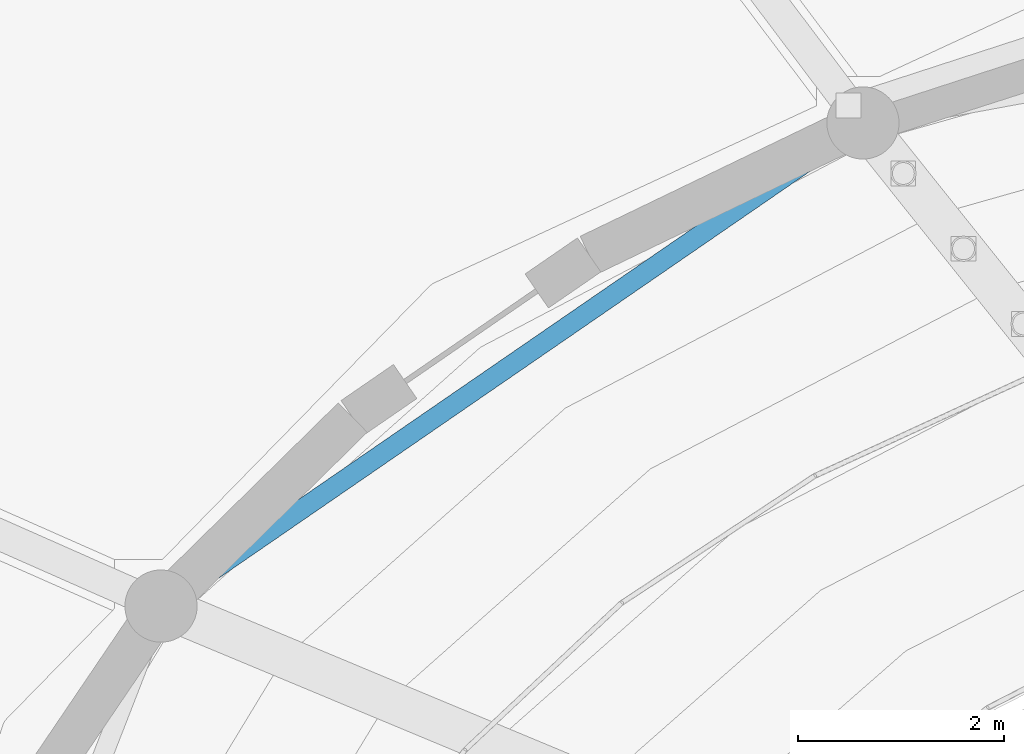
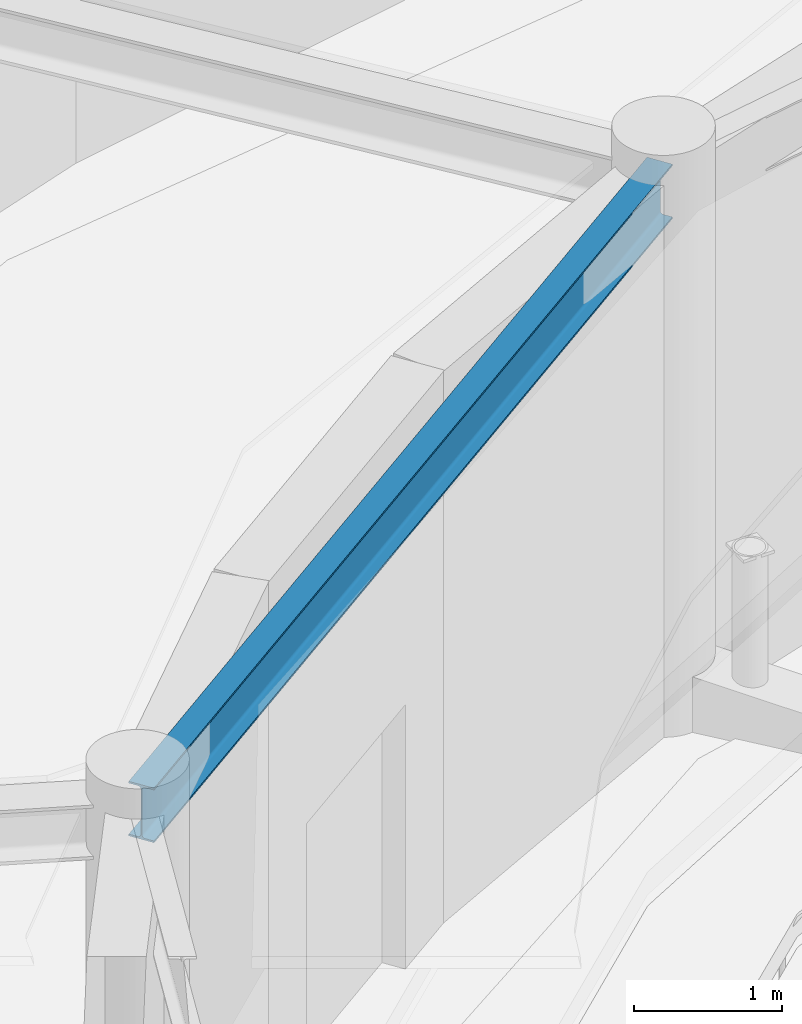
# One storey, part 37 of 108: 1 beam.
"""IFC4 building model written with IfcOpenShell, lengths in metres."""

from ifc_helpers import new_model, si_unit, direction, frame, origin, origin_2d, place, context, subcontext, project, spatial, i_section, extrude, material, material_profile, profile_set, type_object, element, save


model = new_model("IFC4")

# Units and contexts
model_context = context("Model", 3, precision=1e-05, world=origin(), true_north=direction((0.0, 1.0)))
body_context = subcontext(model_context, "Body", "Model", "MODEL_VIEW")
ifc_project = project(units=[si_unit("LENGTHUNIT", "METRE"), si_unit("AREAUNIT", "SQUARE_METRE"), si_unit("VOLUMEUNIT", "CUBIC_METRE"), si_unit("PLANEANGLEUNIT", "RADIAN"), si_unit("MASSUNIT", "GRAM", prefix="KILO")], contexts=[model_context])

# Site, building, storey
site_placement = place(None, origin())
site = spatial("IfcSite", under=ifc_project, at=site_placement, CompositionType="ELEMENT")
building_placement = place(site_placement, origin())
building = spatial("IfcBuilding", under=site, at=building_placement, Name="Tarnveldt Headland Concert Hall", CompositionType="ELEMENT")
storey_placement = place(building_placement, frame((0.0, 0.0, 9.60009765625)))
storey = spatial("IfcBuildingStorey", under=building, at=storey_placement, Name="L02", CompositionType="ELEMENT", Elevation=9.60009765625)

# Beam
ifc_material = material(Name="Steel S355", Category="steel")
ifc_material_profile = material_profile(ifc_material, i_section(OverallWidth=0.18994140625, OverallDepth=0.449951171875, WebThickness=0.009521484375, FlangeThickness=0.0146484375, FilletRadius=0.02099609375, at=origin_2d()), Name="IPE450", Category="steel")
ifc_profile_set = profile_set([ifc_material_profile], Name="Steel S355")
beam_type = type_object("IfcBeamType", Name="SB-IPE450", PredefinedType="BEAM", material=ifc_profile_set)
beam_placement = place(storey_placement, frame((74.150634765625, 65.551025390625, 4.324951171875), z_axis=(-0.823792567818, -0.566891352207, 0.0), x_axis=(0.566891352207, -0.823792567818, 0.0)))
element("IfcBeam", 1, at=beam_placement, inside=storey, type_object=beam_type, Name="Framing beam L02-1058", PredefinedType="BEAM", context=body_context, shape_type="SweptSolid", body=[
    extrude(i_section(OverallWidth=0.18994140625, OverallDepth=0.449951171875, WebThickness=0.009521484375, FlangeThickness=0.0146484375, FilletRadius=0.02099609375, at=origin_2d()), origin(), (0.0, 0.0, 1.0), 8.144287109375),
])

save(model, "model.ifc")
